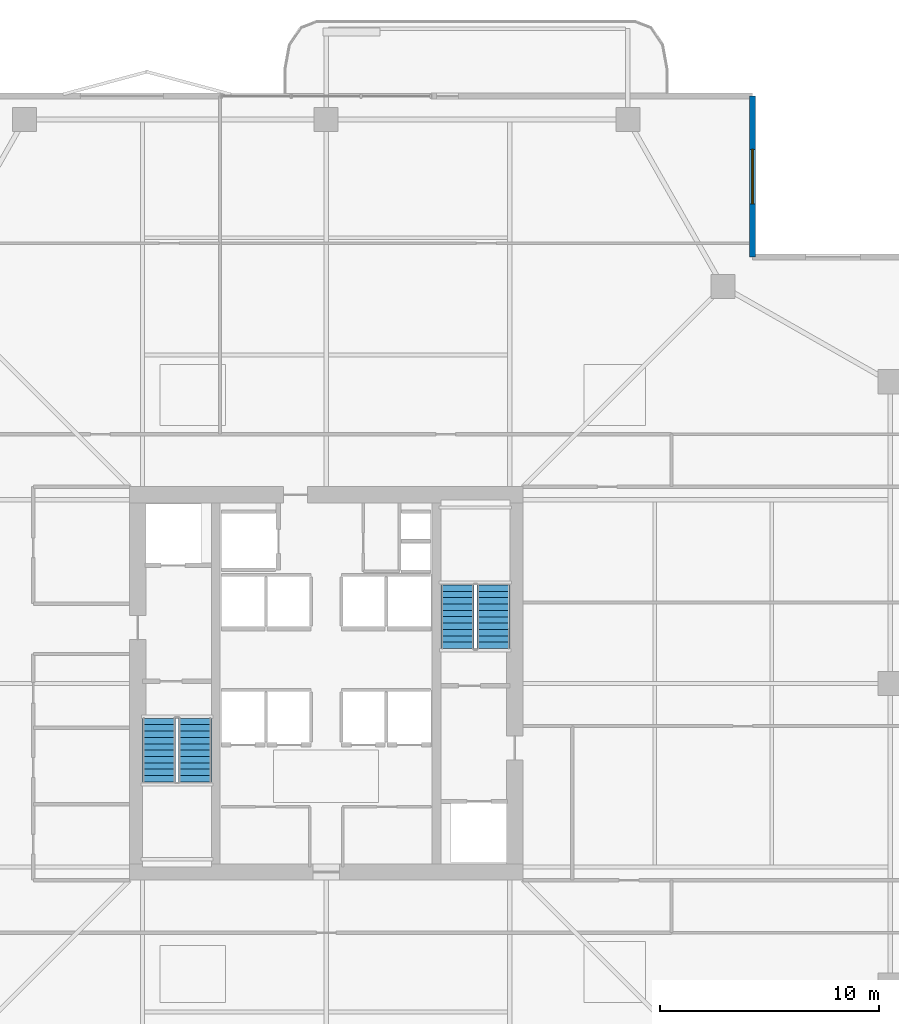
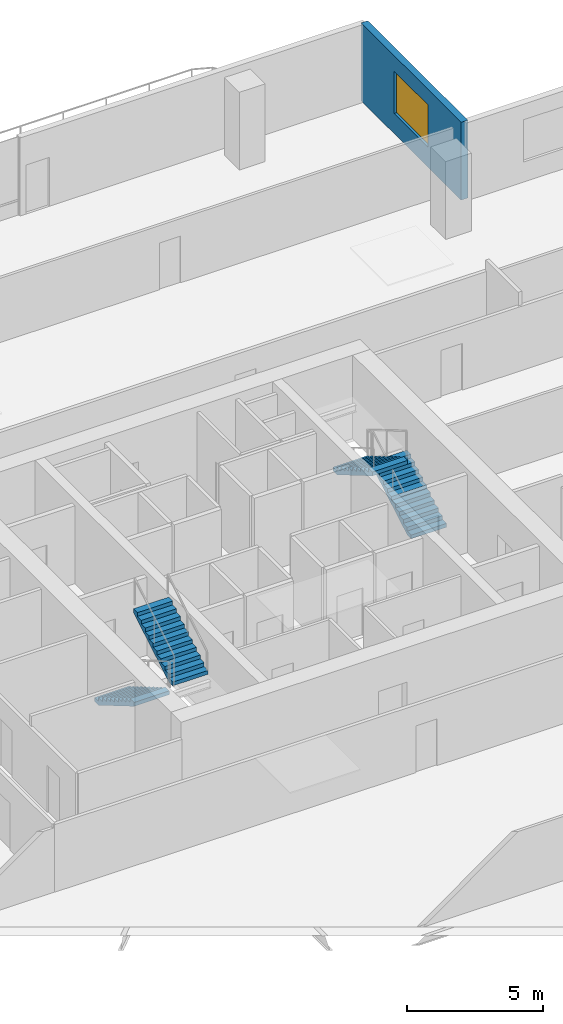
# One storey, part 20 of 24: 4 stair flights, 1 wall, 1 window, 1 opening, 2 elements without a shape of their own.
"""IFC4 building model written with IfcOpenShell, lengths in metres."""

from ifc_helpers import new_model, si_unit, direction, frame, frame_2d, origin, place, context, subcontext, project, spatial, polyline, rectangle, outline, extrude, material, layer, layer_set, type_object, element, fill, aggregate, save


model = new_model("IFC4")

# Units and contexts
model_context = context("Model", 3, precision=1e-05, world=origin(), true_north=direction((0.0, 1.0)))
body_context = subcontext(model_context, "Body", "Model", "MODEL_VIEW")
ifc_project = project(units=[si_unit("LENGTHUNIT", "METRE"), si_unit("AREAUNIT", "SQUARE_METRE"), si_unit("VOLUMEUNIT", "CUBIC_METRE"), si_unit("PLANEANGLEUNIT", "RADIAN"), si_unit("MASSUNIT", "GRAM", prefix="KILO")], contexts=[model_context])

# Site, building, storey
site_placement = place(None, origin())
site = spatial("IfcSite", under=ifc_project, at=site_placement, CompositionType="ELEMENT")
building_placement = place(site_placement, origin())
building = spatial("IfcBuilding", under=site, at=building_placement, Name="Belovzor Exchange Tower", CompositionType="ELEMENT")
storey_placement = place(building_placement, frame((0.0, 0.0, 207.449951171875)))
storey = spatial("IfcBuildingStorey", under=building, at=storey_placement, Name="L51", CompositionType="ELEMENT", Elevation=207.449951171875)

# Wall, opening, window
ifc_material_1 = material(Name="Precast concrete C40/50", Category="concrete")
ifc_layer = layer(ifc_material_1, 0.280029296875)
ifc_layer_set = layer_set([ifc_layer], Name="Precast concrete C40/50")
wall_type = type_object("IfcWallType", Name="Precast Concrete Notched Corner Frame Wall 280", PredefinedType="SOLIDWALL", material=ifc_layer_set)
wall_placement = place(storey_placement, frame((48.300048828125, 55.669921875, 0.0), z_axis=(0.0, 0.0, 1.0), x_axis=(0.0, -1.0, 0.0)))
wall = element("IfcWall", 1, at=wall_placement, inside=storey, type_object=wall_type, Name="W-CRN280 Precast Concrete Notched Corner Frame Wall 280 L51", PredefinedType="SOLIDWALL", context=body_context, shape_type="SweptSolid", body=[
    extrude(rectangle(XDim=7.369873046875, YDim=0.280029296875, at=frame_2d((3.68505859375, 0.0))), origin(), (0.0, 0.0, 1.0), 3.5),
])
opening_placement = place(wall_placement, frame((2.43505859375, 0.0, 0.89990234375)))
opening = element("IfcOpeningElement", 2, at=opening_placement, cuts=wall, Name="Opening WN-CRN250", PredefinedType="OPENING", context=body_context, shape_type="SweptSolid", body=[
    extrude(rectangle(XDim=2.5, YDim=1.89990234375, at=frame_2d((1.25, 0.949951171875))), frame((0.0, 0.14990234375, 0.0), z_axis=(0.0, -1.0, 0.0), x_axis=(1.0, 0.0, 0.0)), (0.0, 0.0, 1.0), 0.300048828125),
])
ifc_material_2 = material(Name="Thermally Broken Aluminium and Triple Glazing", Category="aluminium")
window_type = type_object("IfcWindowType", Name="Streamline Moderne Corner Wrap Ribbon Window 2500x1900", PartitioningType="SINGLE_PANEL", PredefinedType="WINDOW", material=ifc_material_2)
window_placement = place(opening_placement, origin())
window = element("IfcWindow", 3, at=window_placement, inside=storey, type_object=window_type, Name="WN-CRN250 Streamline Moderne Corner Wrap Ribbon Window 2500x1900", OverallHeight=1.89990234375, OverallWidth=2.5, PartitioningType="SINGLE_PANEL", PredefinedType="WINDOW", context=body_context, shape_type="SweptSolid", body=[
    extrude(rectangle(XDim=2.5, YDim=1.89990234375, at=frame_2d((1.25, 0.949951171875))), frame((0.0, 0.030029296875, 0.0), z_axis=(0.0, -1.0, 0.0), x_axis=(1.0, 0.0, 0.0)), (0.0, 0.0, 1.0), 0.06005859375),
])
fill(opening, window)

# Stair, stair flights
ifc_material_3 = material(Name="Concrete C40/50", Category="concrete")
stair_type = type_object("IfcStairType", Name="Reinforced Concrete Dogleg Escape Stair 1350", PredefinedType="HALF_TURN_STAIR", material=ifc_material_3)
stair_1_placement = place(storey_placement, origin())
stair_1 = element("IfcStair", 4, at=stair_1_placement, inside=storey, type_object=stair_type, Name="L51 ST-1", PredefinedType="HALF_TURN_STAIR")
ifc_material_4 = material(Name="Concrete C40/50", Category="concrete")
stair_flight_type = type_object("IfcStairFlightType", Name="Reinforced Concrete Stair Flight 1350", PredefinedType="STRAIGHT", material=ifc_material_4)
stair_flight_1_placement = place(storey_placement, frame((21.14990234375, 27.199951171875, 0.0), z_axis=(0.0, 0.0, 1.0), x_axis=(0.0, -1.0, 0.0)))
stair_flight_1 = element("IfcStairFlight", 5, at=stair_flight_1_placement, type_object=stair_flight_type, Name="ST-1 flight 1", NumberOfRisers=11, NumberOfTreads=10, PredefinedType="STRAIGHT", RiserHeight=0.170454545, TreadLength=0.29, context=body_context, shape_type="SweptSolid", body=[
    extrude(outline(polyline([(0.0, 0.0), (0.0, 0.17041015625), (0.2900390625, 0.17041015625), (0.2900390625, 0.3408203125), (0.580078125, 0.3408203125), (0.580078125, 0.511474609375), (0.8701171875, 0.511474609375), (0.8701171875, 0.681884765625), (1.159912109375, 0.681884765625), (1.159912109375, 0.852294921875), (1.449951171875, 0.852294921875), (1.449951171875, 1.022705078125), (1.739990234375, 1.022705078125), (1.739990234375, 1.193115234375), (2.030029296875, 1.193115234375), (2.030029296875, 1.363525390625), (2.320068359375, 1.363525390625), (2.320068359375, 1.5341796875), (2.610107421875, 1.5341796875), (2.610107421875, 1.70458984375), (2.89990234375, 1.70458984375), (2.89990234375, 1.875), (2.89990234375, 1.53076171875), (0.2958984375, 0.0), (0.0, 0.0)])), frame((0.0, 0.75, 0.0), z_axis=(0.0, -1.0, 0.0), x_axis=(1.0, 0.0, 0.0)), (0.0, 0.0, 1.0), 1.5),
])
stair_flight_2_placement = place(storey_placement, frame((22.800048828125, 24.300048828125, 1.875), z_axis=(0.0, 0.0, 1.0), x_axis=(0.0, 1.0, 0.0)))
stair_flight_2 = element("IfcStairFlight", 6, at=stair_flight_2_placement, type_object=stair_flight_type, Name="ST-1 flight 2", NumberOfRisers=11, NumberOfTreads=10, PredefinedType="STRAIGHT", RiserHeight=0.170454545, TreadLength=0.29, context=body_context, shape_type="SweptSolid", body=[
    extrude(outline(polyline([(0.0, 0.0), (0.0, 0.17041015625), (0.2900390625, 0.17041015625), (0.2900390625, 0.3408203125), (0.580078125, 0.3408203125), (0.580078125, 0.511474609375), (0.8701171875, 0.511474609375), (0.8701171875, 0.681884765625), (1.159912109375, 0.681884765625), (1.159912109375, 0.852294921875), (1.449951171875, 0.852294921875), (1.449951171875, 1.022705078125), (1.739990234375, 1.022705078125), (1.739990234375, 1.193115234375), (2.030029296875, 1.193115234375), (2.030029296875, 1.363525390625), (2.320068359375, 1.363525390625), (2.320068359375, 1.5341796875), (2.610107421875, 1.5341796875), (2.610107421875, 1.70458984375), (2.89990234375, 1.70458984375), (2.89990234375, 1.875), (2.89990234375, 1.53076171875), (0.2958984375, 0.0), (0.0, 0.0)])), frame((0.0, 0.75, 0.0), z_axis=(0.0, -1.0, 0.0), x_axis=(1.0, 0.0, 0.0)), (0.0, 0.0, 1.0), 1.5),
])
aggregate(stair_1, [stair_flight_1, stair_flight_2])

stair_2_placement = place(storey_placement, origin())
stair_2 = element("IfcStair", 7, at=stair_2_placement, inside=storey, type_object=stair_type, Name="L51 ST-2", PredefinedType="HALF_TURN_STAIR")
stair_flight_3_placement = place(storey_placement, frame((36.449951171875, 30.39990234375, 0.0), z_axis=(0.0, 0.0, 1.0), x_axis=(0.0, 1.0, 0.0)))
stair_flight_3 = element("IfcStairFlight", 8, at=stair_flight_3_placement, type_object=stair_flight_type, Name="ST-2 flight 1", NumberOfRisers=11, NumberOfTreads=10, PredefinedType="STRAIGHT", RiserHeight=0.170454545, TreadLength=0.29, context=body_context, shape_type="SweptSolid", body=[
    extrude(outline(polyline([(0.0, 0.0), (0.0, 0.17041015625), (0.2900390625, 0.17041015625), (0.2900390625, 0.3408203125), (0.580078125, 0.3408203125), (0.580078125, 0.511474609375), (0.8701171875, 0.511474609375), (0.8701171875, 0.681884765625), (1.159912109375, 0.681884765625), (1.159912109375, 0.852294921875), (1.449951171875, 0.852294921875), (1.449951171875, 1.022705078125), (1.739990234375, 1.022705078125), (1.739990234375, 1.193115234375), (2.030029296875, 1.193115234375), (2.030029296875, 1.363525390625), (2.320068359375, 1.363525390625), (2.320068359375, 1.5341796875), (2.610107421875, 1.5341796875), (2.610107421875, 1.70458984375), (2.89990234375, 1.70458984375), (2.89990234375, 1.875), (2.89990234375, 1.53076171875), (0.2958984375, 0.0), (0.0, 0.0)])), frame((0.0, 0.75, 0.0), z_axis=(0.0, -1.0, 0.0), x_axis=(1.0, 0.0, 0.0)), (0.0, 0.0, 1.0), 1.5),
])
stair_flight_4_placement = place(storey_placement, frame((34.800048828125, 33.300048828125, 1.875), z_axis=(0.0, 0.0, 1.0), x_axis=(0.0, -1.0, 0.0)))
stair_flight_4 = element("IfcStairFlight", 9, at=stair_flight_4_placement, type_object=stair_flight_type, Name="ST-2 flight 2", NumberOfRisers=11, NumberOfTreads=10, PredefinedType="STRAIGHT", RiserHeight=0.170454545, TreadLength=0.29, context=body_context, shape_type="SweptSolid", body=[
    extrude(outline(polyline([(0.0, 0.0), (0.0, 0.17041015625), (0.2900390625, 0.17041015625), (0.2900390625, 0.3408203125), (0.580078125, 0.3408203125), (0.580078125, 0.511474609375), (0.8701171875, 0.511474609375), (0.8701171875, 0.681884765625), (1.159912109375, 0.681884765625), (1.159912109375, 0.852294921875), (1.449951171875, 0.852294921875), (1.449951171875, 1.022705078125), (1.739990234375, 1.022705078125), (1.739990234375, 1.193115234375), (2.030029296875, 1.193115234375), (2.030029296875, 1.363525390625), (2.320068359375, 1.363525390625), (2.320068359375, 1.5341796875), (2.610107421875, 1.5341796875), (2.610107421875, 1.70458984375), (2.89990234375, 1.70458984375), (2.89990234375, 1.875), (2.89990234375, 1.53076171875), (0.2958984375, 0.0), (0.0, 0.0)])), frame((0.0, 0.75, 0.0), z_axis=(0.0, -1.0, 0.0), x_axis=(1.0, 0.0, 0.0)), (0.0, 0.0, 1.0), 1.5),
])
aggregate(stair_2, [stair_flight_3, stair_flight_4])

save(model, "model.ifc")
